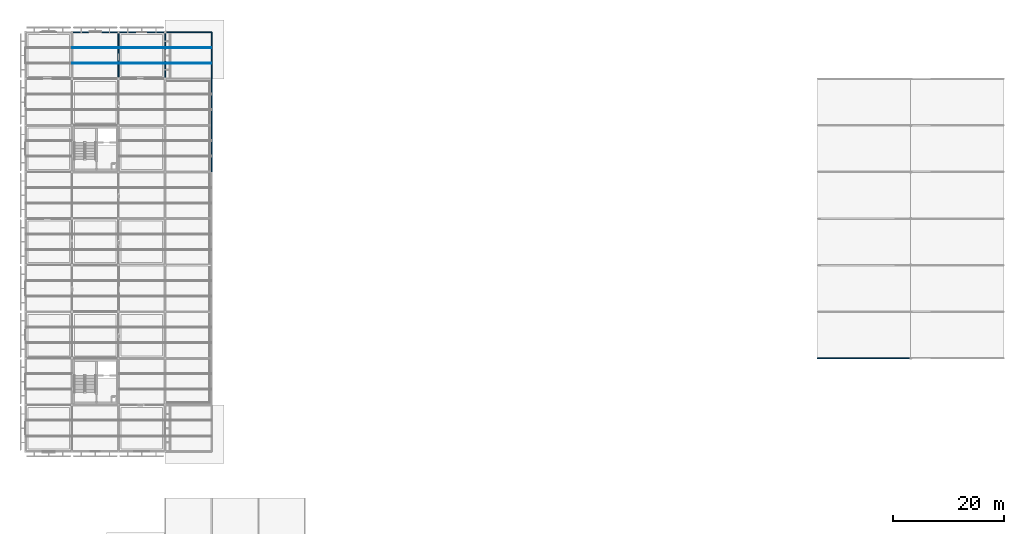
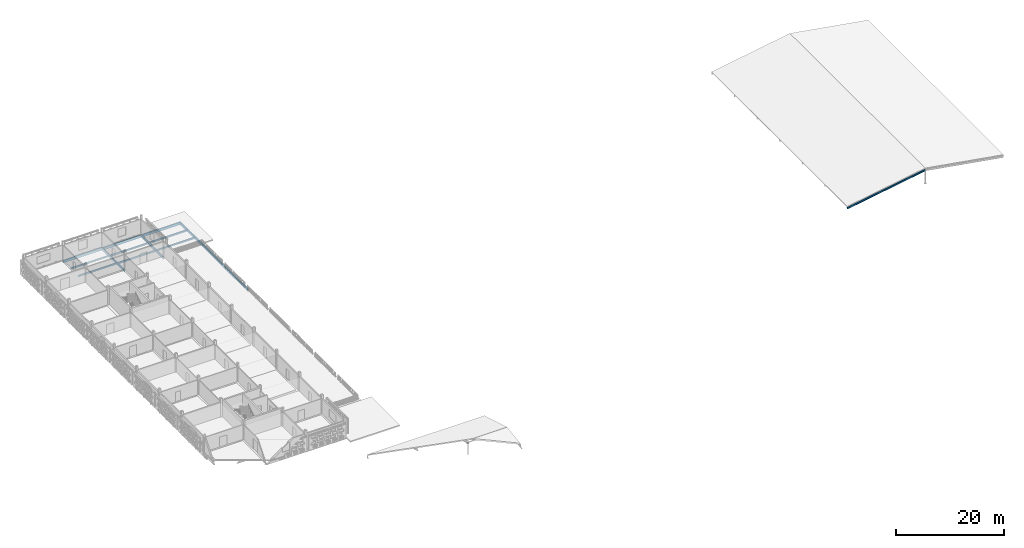
# One storey, part 8 of 31: 15 beams.
"""IFC4 building model written with IfcOpenShell, lengths in metres."""

from ifc_helpers import new_model, si_unit, direction, frame, origin, origin_2d, place, context, subcontext, project, spatial, rectangle, i_section, extrude, material, material_profile, profile_set, type_object, element, save


model = new_model("IFC4")

# Units and contexts
model_context = context("Model", 3, precision=1e-05, world=origin(), true_north=direction((0.0, 1.0)))
body_context = subcontext(model_context, "Body", "Model", "MODEL_VIEW")
ifc_project = project(units=[si_unit("LENGTHUNIT", "METRE"), si_unit("AREAUNIT", "SQUARE_METRE"), si_unit("VOLUMEUNIT", "CUBIC_METRE"), si_unit("PLANEANGLEUNIT", "RADIAN"), si_unit("MASSUNIT", "GRAM", prefix="KILO")], contexts=[model_context])

# Site, building, storey
site_placement = place(None, origin())
site = spatial("IfcSite", under=ifc_project, at=site_placement, CompositionType="ELEMENT")
building_placement = place(site_placement, origin())
building = spatial("IfcBuilding", under=site, at=building_placement, Name="Varnapada Polytechnic", CompositionType="ELEMENT")
storey_placement = place(building_placement, frame((0.0, 0.0, 22.199951171875)))
storey = spatial("IfcBuildingStorey", under=building, at=storey_placement, Name="L05", CompositionType="ELEMENT", Elevation=22.199951171875)

# Beams
ifc_material_1 = material(Name="Steel S355", Category="steel")
ifc_material_profile_1 = material_profile(ifc_material_1, i_section(OverallWidth=0.179931640625, OverallDepth=0.39990234375, WebThickness=0.008544921875, FlangeThickness=0.013427734375, FilletRadius=0.02099609375, at=origin_2d()), Name="IPE 400")
ifc_profile_set_1 = profile_set([ifc_material_profile_1], Name="Steel S355")
beam_type_1 = type_object("IfcBeamType", Name="Library hipped roof rafter SB-06 (IPE 400)", PredefinedType="BEAM", material=ifc_profile_set_1)
beam_1_placement = place(storey_placement, frame((142.800048828125, 67.199951171875, 0.2099609375), z_axis=(0.986009811831, 0.0, 0.166687284976), x_axis=(0.0, 1.0, 0.0)))
element("IfcBeam", 1, at=beam_1_placement, inside=storey, type_object=beam_type_1, Name="Library west pitched rafter Y9", PredefinedType="BEAM", context=body_context, shape_type="SweptSolid", body=[
    extrude(i_section(OverallWidth=0.179931640625, OverallDepth=0.39990234375, WebThickness=0.008544921875, FlangeThickness=0.013427734375, FilletRadius=0.02099609375, at=origin_2d()), origin(), (0.0, 0.0, 1.0), 17.038330078125),
])
ifc_material_2 = material(Name="Glulam GL32h", Category="wood")
ifc_material_profile_2 = material_profile(ifc_material_2, rectangle(XDim=0.239990234375, YDim=0.56005859375, at=origin_2d()), Name="GL 240x560")
ifc_profile_set_2 = profile_set([ifc_material_profile_2], Name="Glulam GL32h")
beam_type_2 = type_object("IfcBeamType", Name="Perimeter glulam spandrel beam SP-02 (GL 240x560)", PredefinedType="SPANDREL", material=ifc_profile_set_2)
beam_2_placement = place(storey_placement, frame((8.39990234375, 126.0, -0.5), z_axis=(1.0, 0.0, 0.0), x_axis=(0.0, 1.0, 0.0)))
element("IfcBeam", 2, at=beam_2_placement, inside=storey, type_object=beam_type_2, Name="L05 beam X 2-3 at Y16", PredefinedType="SPANDREL", context=body_context, shape_type="SweptSolid", body=[
    extrude(rectangle(XDim=0.239990234375, YDim=0.56005859375, at=origin_2d()), origin(), (0.0, 0.0, 1.0), 8.400146484375),
])
beam_3_placement = place(storey_placement, frame((16.800048828125, 126.0, -0.550048828125), z_axis=(1.0, 0.0, 0.0), x_axis=(0.0, 1.0, 0.0)))
element("IfcBeam", 3, at=beam_3_placement, inside=storey, type_object=beam_type_2, Name="L05 beam X 3-4 at Y16", PredefinedType="SPANDREL", context=body_context, shape_type="SweptSolid", body=[
    extrude(rectangle(XDim=0.239990234375, YDim=0.56005859375, at=origin_2d()), origin(), (0.0, 0.0, 1.0), 8.39990234375),
])
beam_4_placement = place(storey_placement, frame((25.199951171875, 126.0, -0.550048828125), z_axis=(1.0, 0.0, 0.0), x_axis=(0.0, 1.0, 0.0)))
element("IfcBeam", 4, at=beam_4_placement, inside=storey, type_object=beam_type_2, Name="L05 beam X 4-5 at Y16", PredefinedType="SPANDREL", context=body_context, shape_type="SweptSolid", body=[
    extrude(rectangle(XDim=0.239990234375, YDim=0.56005859375, at=origin_2d()), origin(), (0.0, 0.0, 1.0), 8.400146484375),
])
beam_5_placement = place(storey_placement, frame((33.60009765625, 100.800048828125, -0.510009765625), z_axis=(0.0, 1.0, 0.0), x_axis=(-1.0, 0.0, 0.0)))
element("IfcBeam", 5, at=beam_5_placement, inside=storey, type_object=beam_type_2, Name="L05 beam Y 13-14 at X5", PredefinedType="SPANDREL", context=body_context, shape_type="SweptSolid", body=[
    extrude(rectangle(XDim=0.239990234375, YDim=0.56005859375, at=origin_2d()), origin(), (0.0, 0.0, 1.0), 8.39990234375),
])
beam_6_placement = place(storey_placement, frame((33.60009765625, 109.199951171875, -0.550048828125), z_axis=(0.0, 1.0, 0.0), x_axis=(-1.0, 0.0, 0.0)))
element("IfcBeam", 6, at=beam_6_placement, inside=storey, type_object=beam_type_2, Name="L05 beam Y 14-15 at X5", PredefinedType="SPANDREL", context=body_context, shape_type="SweptSolid", body=[
    extrude(rectangle(XDim=0.239990234375, YDim=0.56005859375, at=origin_2d()), origin(), (0.0, 0.0, 1.0), 8.400146484375),
])
beam_7_placement = place(storey_placement, frame((33.60009765625, 117.60009765625, -0.550048828125), z_axis=(0.0, 1.0, 0.0), x_axis=(-1.0, 0.0, 0.0)))
element("IfcBeam", 7, at=beam_7_placement, inside=storey, type_object=beam_type_2, Name="L05 beam Y 15-16 at X5", PredefinedType="SPANDREL", context=body_context, shape_type="SweptSolid", body=[
    extrude(rectangle(XDim=0.239990234375, YDim=0.56005859375, at=origin_2d()), origin(), (0.0, 0.0, 1.0), 8.39990234375),
])
ifc_material_profile_3 = material_profile(ifc_material_2, rectangle(XDim=0.179931640625, YDim=0.360107421875, at=origin_2d()), Name="GL 180x360")
ifc_profile_set_3 = profile_set([ifc_material_profile_3], Name="Glulam GL32h")
beam_type_3 = type_object("IfcBeamType", Name="Studio/seminar glulam floor joist GJ-02 (GL 180x360)", PredefinedType="JOIST", material=ifc_profile_set_3)
for number, where, z_axis, x_axis, name in (
    (8, (8.47998046875, 120.39990234375, -0.39990234375), (1.0, 0.0, 0.0), (0.0, 1.0, 0.0), "L05 floor joist 2/15.1"),
    (9, (8.47998046875, 123.199951171875, -0.39990234375), (1.0, 0.0, 0.0), (0.0, 1.0, 0.0), "L05 floor joist 2/15.2"),
):
    element("IfcBeam", number, at=place(storey_placement, frame(where, z_axis=z_axis, x_axis=x_axis)), inside=storey, type_object=beam_type_3, Name=name, PredefinedType="JOIST", context=body_context, shape_type="SweptSolid", body=[
        extrude(rectangle(XDim=0.179931640625, YDim=0.360107421875, at=origin_2d()), origin(), (0.0, 0.0, 1.0), 8.239990234375),
    ])
for number, where, z_axis, x_axis, name in (
    (10, (16.8798828125, 120.39990234375, -0.449951171875), (1.0, 0.0, 0.0), (0.0, 1.0, 0.0), "L05 floor joist 3/15.1"),
    (11, (16.8798828125, 123.199951171875, -0.449951171875), (1.0, 0.0, 0.0), (0.0, 1.0, 0.0), "L05 floor joist 3/15.2"),
):
    element("IfcBeam", number, at=place(storey_placement, frame(where, z_axis=z_axis, x_axis=x_axis)), inside=storey, type_object=beam_type_3, Name=name, PredefinedType="JOIST", context=body_context, shape_type="SweptSolid", body=[
        extrude(rectangle(XDim=0.179931640625, YDim=0.360107421875, at=origin_2d()), origin(), (0.0, 0.0, 1.0), 8.240234375),
    ])
for number, where, z_axis, x_axis, name in (
    (12, (25.280029296875, 120.39990234375, -0.449951171875), (1.0, 0.0, 0.0), (0.0, 1.0, 0.0), "L05 floor joist 4/15.1"),
    (13, (25.280029296875, 123.199951171875, -0.449951171875), (1.0, 0.0, 0.0), (0.0, 1.0, 0.0), "L05 floor joist 4/15.2"),
):
    element("IfcBeam", number, at=place(storey_placement, frame(where, z_axis=z_axis, x_axis=x_axis)), inside=storey, type_object=beam_type_3, Name=name, PredefinedType="JOIST", context=body_context, shape_type="SweptSolid", body=[
        extrude(rectangle(XDim=0.179931640625, YDim=0.360107421875, at=origin_2d()), origin(), (0.0, 0.0, 1.0), 8.239990234375),
    ])
ifc_material_profile_4 = material_profile(ifc_material_2, rectangle(XDim=0.219970703125, YDim=0.47998046875, at=origin_2d()), Name="GL 220x480")
ifc_profile_set_4 = profile_set([ifc_material_profile_4], Name="Glulam GL32h")
beam_type_4 = type_object("IfcBeamType", Name="Upper floor glulam tie beam GB-11 (GL 220x480)", PredefinedType="BEAM", material=ifc_profile_set_4)
for number, where, z_axis, x_axis, name in (
    (14, (16.800048828125, 117.60009765625, -0.4599609375), (0.0, 1.0, 0.0), (-1.0, 0.0, 0.0), "L05 beam Y 15-16 at X3"),
    (15, (25.199951171875, 117.60009765625, -0.510009765625), (0.0, 1.0, 0.0), (-1.0, 0.0, 0.0), "L05 beam Y 15-16 at X4"),
):
    element("IfcBeam", number, at=place(storey_placement, frame(where, z_axis=z_axis, x_axis=x_axis)), inside=storey, type_object=beam_type_4, Name=name, PredefinedType="BEAM", context=body_context, shape_type="SweptSolid", body=[
        extrude(rectangle(XDim=0.219970703125, YDim=0.47998046875, at=origin_2d()), origin(), (0.0, 0.0, 1.0), 8.39990234375),
    ])

save(model, "model.ifc")
